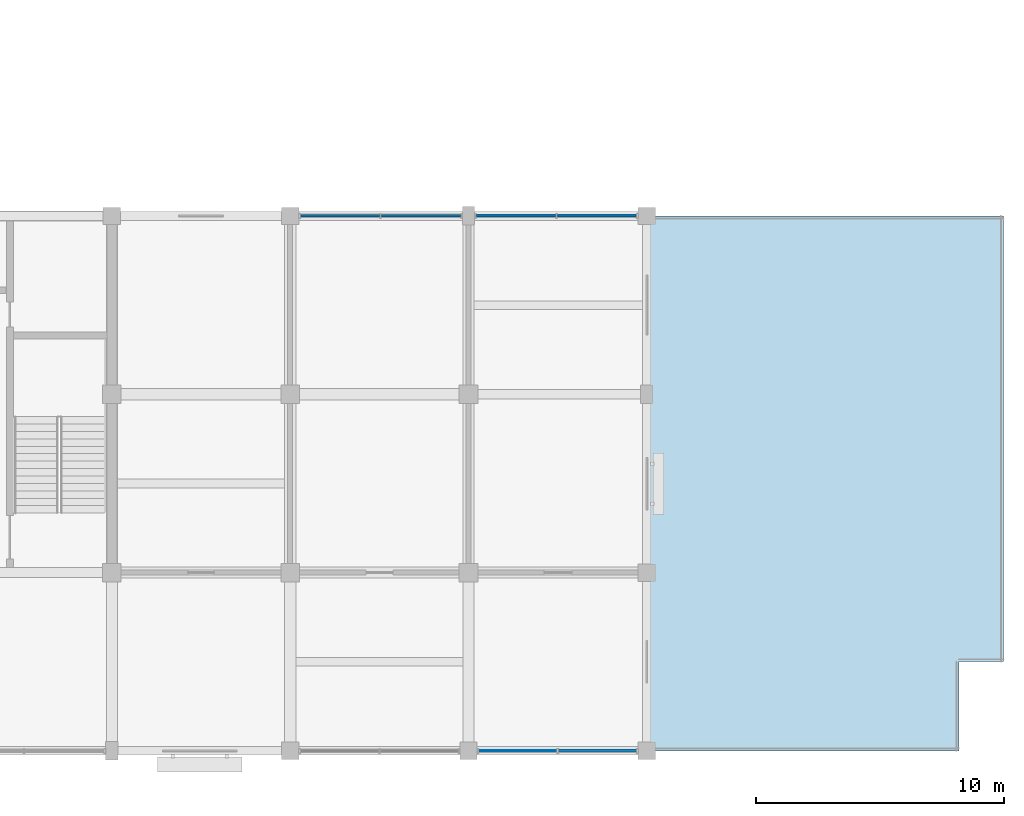
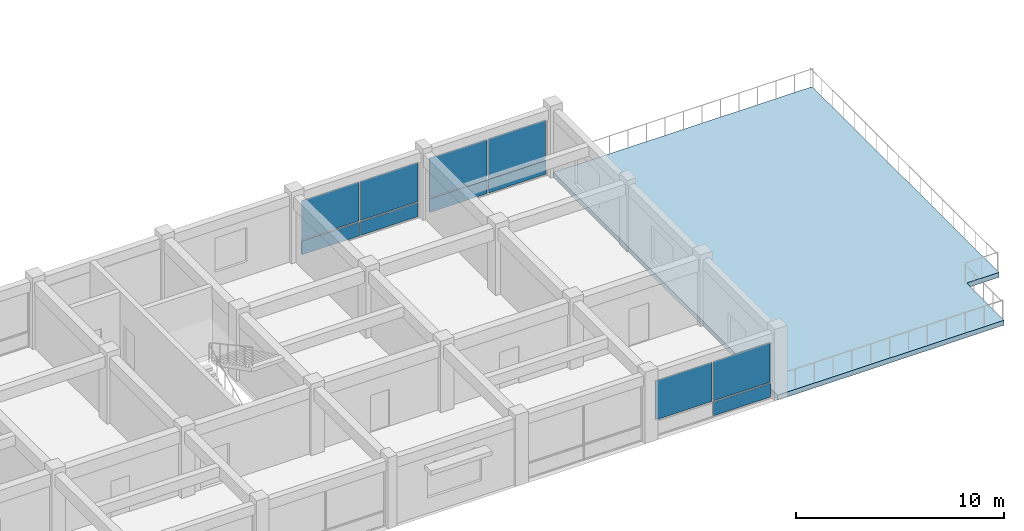
# One storey, part 18 of 31: 11 plates, 1 slab, 3 elements without a shape of their own.
"""IFC4 building model written with IfcOpenShell, lengths in metres."""

from ifc_helpers import new_model, si_unit, direction, frame, origin, origin_2d, place, context, subcontext, project, spatial, polyline, rectangle, outline, extrude, material, layer, layer_set, type_object, element, aggregate, save


model = new_model("IFC4")

# Units and contexts
model_context = context("Model", 3, precision=1e-05, world=origin(), true_north=direction((0.0, 1.0)))
body_context = subcontext(model_context, "Body", "Model", "MODEL_VIEW")
ifc_project = project(units=[si_unit("LENGTHUNIT", "METRE"), si_unit("AREAUNIT", "SQUARE_METRE"), si_unit("VOLUMEUNIT", "CUBIC_METRE"), si_unit("PLANEANGLEUNIT", "RADIAN"), si_unit("MASSUNIT", "GRAM", prefix="KILO")], contexts=[model_context])

# Site, building, storey
site_placement = place(None, origin())
site = spatial("IfcSite", under=ifc_project, at=site_placement, CompositionType="ELEMENT")
building_placement = place(site_placement, origin())
building = spatial("IfcBuilding", under=site, at=building_placement, Name="Cendaluz Park School", CompositionType="ELEMENT")
storey_placement = place(building_placement, frame((0.0, 0.0, 14.39990234375)))
storey = spatial("IfcBuildingStorey", under=building, at=storey_placement, Name="L03", CompositionType="ELEMENT", Elevation=14.39990234375)

# Curtain wall, plates
ifc_material_1 = material(Name="Anodised Aluminium 6063-T6", Category="aluminium")
ifc_layer_1 = layer(ifc_material_1, 0.179931640625)
ifc_layer_set_1 = layer_set([ifc_layer_1], Name="Anodised Aluminium 6063-T6")
curtain_wall_type_1 = type_object("IfcCurtainWallType", Name="CW-132x66", PredefinedType="NOTDEFINED", material=ifc_layer_set_1)
curtain_wall_1_placement = place(storey_placement, origin())
curtain_wall_1 = element("IfcCurtainWall", 1, at=curtain_wall_1_placement, inside=storey, type_object=curtain_wall_type_1, Name="CW-L03-158", PredefinedType="NOTDEFINED")
ifc_material_2 = material(Name="Tempered Low-E Double Glazing", Category="glass")
ifc_layer_2 = layer(ifc_material_2, 0.028076171875)
ifc_layer_set_2 = layer_set([ifc_layer_2], Name="Tempered Low-E Double Glazing")
plate_type_1 = type_object("IfcPlateType", Name="CWP-G01", PredefinedType="CURTAIN_PANEL", material=ifc_layer_set_2)
plate_1_placement = place(storey_placement, frame((146.017578125, 28.800048828125, 0.93505859375), z_axis=(0.0, 0.0, 1.0), x_axis=(1.0, 0.0, 0.0)))
plate_1 = element("IfcPlate", 2, at=plate_1_placement, type_object=plate_type_1, Name="CP-L03-2049", PredefinedType="CURTAIN_PANEL", context=body_context, shape_type="SweptSolid", body=[
    extrude(rectangle(XDim=3.195068359375, YDim=0.028076171875, at=origin_2d()), origin(), (0.0, 0.0, 1.0), 2.304931640625),
])
plate_2_placement = place(storey_placement, frame((149.282470703125, 28.800048828125, 0.93505859375), z_axis=(0.0, 0.0, 1.0), x_axis=(1.0, 0.0, 0.0)))
plate_2 = element("IfcPlate", 3, at=plate_2_placement, type_object=plate_type_1, Name="CP-L03-2054", PredefinedType="CURTAIN_PANEL", context=body_context, shape_type="SweptSolid", body=[
    extrude(rectangle(XDim=3.195068359375, YDim=0.028076171875, at=origin_2d()), origin(), (0.0, 0.0, 1.0), 2.304931640625),
])

ifc_layer_3 = layer(ifc_material_1, 0.179931640625)
ifc_layer_set_3 = layer_set([ifc_layer_3], Name="Anodised Aluminium 6063-T6")
curtain_wall_type_2 = type_object("IfcCurtainWallType", Name="CW-130x66", PredefinedType="NOTDEFINED", material=ifc_layer_set_3)
curtain_wall_2_placement = place(storey_placement, origin())
curtain_wall_2 = element("IfcCurtainWall", 4, at=curtain_wall_2_placement, inside=storey, type_object=curtain_wall_type_2, Name="CW-L03-159", PredefinedType="NOTDEFINED")
ifc_layer_4 = layer(ifc_material_2, 0.0380859375)
ifc_layer_set_4 = layer_set([ifc_layer_4], Name="Tempered Low-E Double Glazing")
plate_type_2 = type_object("IfcPlateType", Name="CWP-G02", PredefinedType="CURTAIN_PANEL", material=ifc_layer_set_4)
plate_3_placement = place(storey_placement, frame((153.1923828125, 7.199951171875, 0.93505859375), z_axis=(0.0, 0.0, 1.0), x_axis=(1.0, 0.0, 0.0)))
plate_3 = element("IfcPlate", 5, at=plate_3_placement, type_object=plate_type_2, Name="CP-L03-2062", PredefinedType="CURTAIN_PANEL", context=body_context, shape_type="SweptSolid", body=[
    extrude(rectangle(XDim=3.14501953125, YDim=0.0380859375, at=origin_2d()), origin(), (0.0, 0.0, 1.0), 2.304931640625),
])
plate_4_placement = place(storey_placement, frame((156.407470703125, 7.199951171875, 0.93505859375), z_axis=(0.0, 0.0, 1.0), x_axis=(1.0, 0.0, 0.0)))
plate_4 = element("IfcPlate", 6, at=plate_4_placement, type_object=plate_type_2, Name="CP-L03-2067", PredefinedType="CURTAIN_PANEL", context=body_context, shape_type="SweptSolid", body=[
    extrude(rectangle(XDim=3.14501953125, YDim=0.0380859375, at=origin_2d()), origin(), (0.0, 0.0, 1.0), 2.304931640625),
])

curtain_wall_3_placement = place(storey_placement, origin())
curtain_wall_3 = element("IfcCurtainWall", 7, at=curtain_wall_3_placement, inside=storey, type_object=curtain_wall_type_1, Name="CW-L03-160", PredefinedType="NOTDEFINED")
plate_5_placement = place(storey_placement, frame((153.117431640625, 28.800048828125, 0.93505859375), z_axis=(0.0, 0.0, 1.0), x_axis=(1.0, 0.0, 0.0)))
plate_5 = element("IfcPlate", 8, at=plate_5_placement, type_object=plate_type_2, Name="CP-L03-2075", PredefinedType="CURTAIN_PANEL", context=body_context, shape_type="SweptSolid", body=[
    extrude(rectangle(XDim=3.195068359375, YDim=0.0380859375, at=origin_2d()), origin(), (0.0, 0.0, 1.0), 2.304931640625),
])
plate_6_placement = place(storey_placement, frame((156.382568359375, 28.800048828125, 0.93505859375), z_axis=(0.0, 0.0, 1.0), x_axis=(1.0, 0.0, 0.0)))
plate_6 = element("IfcPlate", 9, at=plate_6_placement, type_object=plate_type_2, Name="CP-L03-2080", PredefinedType="CURTAIN_PANEL", context=body_context, shape_type="SweptSolid", body=[
    extrude(rectangle(XDim=3.195068359375, YDim=0.0380859375, at=origin_2d()), origin(), (0.0, 0.0, 1.0), 2.304931640625),
])

# Plate
ifc_layer_5 = layer(ifc_material_1, 0.080078125)
ifc_layer_set_5 = layer_set([ifc_layer_5], Name="Anodised Aluminium 6063-T6")
plate_type_3 = type_object("IfcPlateType", Name="CWP-S01", PredefinedType="CURTAIN_PANEL", material=ifc_layer_set_5)
plate_7_placement = place(storey_placement, frame((146.017578125, 28.800048828125, 0.070068359375), z_axis=(0.0, 0.0, 1.0), x_axis=(1.0, 0.0, 0.0)))
plate_7 = element("IfcPlate", 10, at=plate_7_placement, type_object=plate_type_3, Name="CP-L03-2048", PredefinedType="CURTAIN_PANEL", context=body_context, shape_type="SweptSolid", body=[
    extrude(rectangle(XDim=3.195068359375, YDim=0.080078125, at=origin_2d()), origin(), (0.0, 0.0, 1.0), 0.794921875),
])

plate_8_placement = place(storey_placement, frame((149.282470703125, 28.800048828125, 0.070068359375), z_axis=(0.0, 0.0, 1.0), x_axis=(1.0, 0.0, 0.0)))
plate_8 = element("IfcPlate", 11, at=plate_8_placement, type_object=plate_type_3, Name="CP-L03-2053", PredefinedType="CURTAIN_PANEL", context=body_context, shape_type="SweptSolid", body=[
    extrude(rectangle(XDim=3.195068359375, YDim=0.080078125, at=origin_2d()), origin(), (0.0, 0.0, 1.0), 0.794921875),
])

aggregate(curtain_wall_1, [plate_7, plate_1, plate_8, plate_2])

plate_9_placement = place(storey_placement, frame((153.117431640625, 28.800048828125, 0.070068359375), z_axis=(0.0, 0.0, 1.0), x_axis=(1.0, 0.0, 0.0)))
plate_9 = element("IfcPlate", 12, at=plate_9_placement, type_object=plate_type_3, Name="CP-L03-2074", PredefinedType="CURTAIN_PANEL", context=body_context, shape_type="SweptSolid", body=[
    extrude(rectangle(XDim=3.195068359375, YDim=0.080078125, at=origin_2d()), origin(), (0.0, 0.0, 1.0), 0.794921875),
])

plate_10_placement = place(storey_placement, frame((156.382568359375, 28.800048828125, 0.070068359375), z_axis=(0.0, 0.0, 1.0), x_axis=(1.0, 0.0, 0.0)))
plate_10 = element("IfcPlate", 13, at=plate_10_placement, type_object=plate_type_3, Name="CP-L03-2079", PredefinedType="CURTAIN_PANEL", context=body_context, shape_type="SweptSolid", body=[
    extrude(rectangle(XDim=3.195068359375, YDim=0.080078125, at=origin_2d()), origin(), (0.0, 0.0, 1.0), 0.794921875),
])

aggregate(curtain_wall_3, [plate_9, plate_5, plate_10, plate_6])

ifc_layer_6 = layer(ifc_material_1, 0.094970703125)
ifc_layer_set_6 = layer_set([ifc_layer_6], Name="Anodised Aluminium 6063-T6")
plate_type_4 = type_object("IfcPlateType", Name="CWP-S02", PredefinedType="CURTAIN_PANEL", material=ifc_layer_set_6)
plate_11_placement = place(storey_placement, frame((156.407470703125, 7.199951171875, 0.070068359375), z_axis=(0.0, 0.0, 1.0), x_axis=(1.0, 0.0, 0.0)))
plate_11 = element("IfcPlate", 14, at=plate_11_placement, type_object=plate_type_4, Name="CP-L03-2066", PredefinedType="CURTAIN_PANEL", context=body_context, shape_type="SweptSolid", body=[
    extrude(rectangle(XDim=3.14501953125, YDim=0.094970703125, at=origin_2d()), origin(), (0.0, 0.0, 1.0), 0.794921875),
])

aggregate(curtain_wall_2, [plate_3, plate_11, plate_4])

# Slab
ifc_material_3 = material(Name="Concrete C40/50", Category="concrete")
ifc_layer_7 = layer(ifc_material_3, 0.2900390625)
ifc_layer_set_7 = layer_set([ifc_layer_7], Name="Concrete C40/50")
slab_type = type_object("IfcSlabType", Name="SL-PD-290", PredefinedType="FLOOR", material=ifc_layer_set_7)
slab_placement = place(storey_placement, frame((0.0, 0.0, -0.289794921875)))
element("IfcSlab", 15, at=slab_placement, inside=storey, type_object=slab_type, Name="Play Deck Slab PD-L03-E", PredefinedType="FLOOR", context=body_context, shape_type="SweptSolid", body=[
    extrude(outline(polyline([(158.39990234375, 28.800048828125), (172.800048828125, 28.800048828125), (172.800048828125, 10.800048828125), (171.0, 10.800048828125), (171.0, 7.199951171875), (158.39990234375, 7.199951171875), (158.39990234375, 28.800048828125)])), origin(), (0.0, 0.0, 1.0), 0.289794921875),
])

save(model, "model.ifc")
